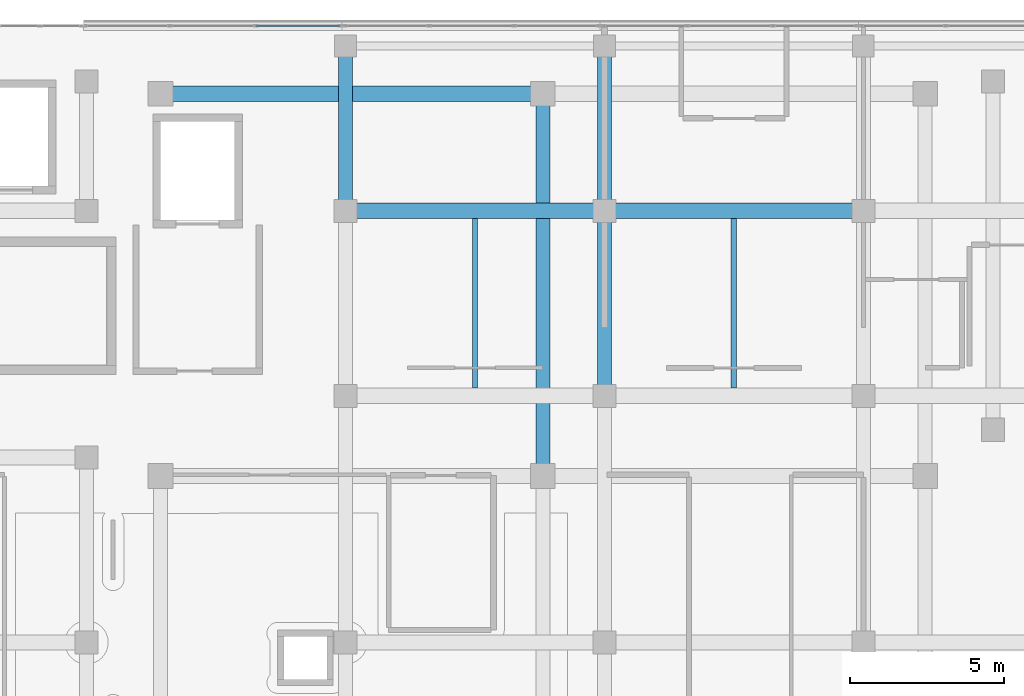
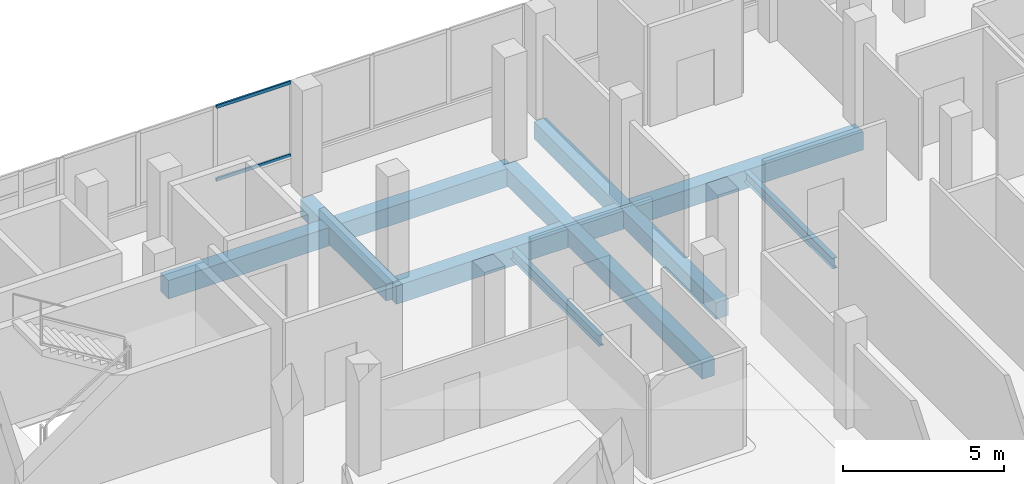
# One storey, part 41 of 101: 9 beams, 2 members, 1 element without a shape of its own.
"""IFC4 building model written with IfcOpenShell, lengths in metres."""

from ifc_helpers import new_model, si_unit, direction, frame, origin, origin_2d, place, context, subcontext, project, spatial, rectangle, hollow_rectangle, i_section, extrude, material, material_profile, profile_set, type_object, element, aggregate, save


model = new_model("IFC4")

# Units and contexts
model_context = context("Model", 3, precision=1e-05, world=origin(), true_north=direction((0.0, 1.0)))
body_context = subcontext(model_context, "Body", "Model", "MODEL_VIEW")
ifc_project = project(units=[si_unit("LENGTHUNIT", "METRE"), si_unit("AREAUNIT", "SQUARE_METRE"), si_unit("VOLUMEUNIT", "CUBIC_METRE"), si_unit("PLANEANGLEUNIT", "RADIAN"), si_unit("MASSUNIT", "GRAM", prefix="KILO")], contexts=[model_context])

# Site, building, storey
site_placement = place(None, origin())
site = spatial("IfcSite", under=ifc_project, at=site_placement, CompositionType="ELEMENT")
building_placement = place(site_placement, origin())
building = spatial("IfcBuilding", under=site, at=building_placement, Name="Selatvlak General Hospital", CompositionType="ELEMENT")
storey_placement = place(building_placement, frame((0.0, 0.0, 19.199951171875)))
storey = spatial("IfcBuildingStorey", under=building, at=storey_placement, Name="L04", CompositionType="ELEMENT", Elevation=19.199951171875)

# Beams
ifc_material_1 = material(Name="Concrete C40/50", Category="concrete")
ifc_material_profile_1 = material_profile(ifc_material_1, rectangle(XDim=0.5, YDim=0.699951171875, at=origin_2d()), Name="RC-BM 500x700")
ifc_profile_set_1 = profile_set([ifc_material_profile_1], Name="Concrete C40/50")
beam_type_1 = type_object("IfcBeamType", Name="BM-G03", PredefinedType="BEAM", material=ifc_profile_set_1)
beam_1_placement = place(storey_placement, frame((64.800048828125, 114.0, -0.655029296875), z_axis=(1.0, 0.0, 0.0), x_axis=(0.0, 1.0, 0.0)))
element("IfcBeam", 1, at=beam_1_placement, inside=storey, type_object=beam_type_1, Name="Beam BMR-L04-1618", PredefinedType="BEAM", context=body_context, shape_type="SweptSolid", body=[
    extrude(rectangle(XDim=0.5, YDim=0.699951171875, at=origin_2d()), origin(), (0.0, 0.0, 1.0), 8.39990234375),
])
beam_2_placement = place(storey_placement, frame((73.199951171875, 114.0, -0.655029296875), z_axis=(1.0, 0.0, 0.0), x_axis=(0.0, 1.0, 0.0)))
element("IfcBeam", 2, at=beam_2_placement, inside=storey, type_object=beam_type_1, Name="Beam BMR-L04-1619", PredefinedType="BEAM", context=body_context, shape_type="SweptSolid", body=[
    extrude(rectangle(XDim=0.5, YDim=0.699951171875, at=origin_2d()), origin(), (0.0, 0.0, 1.0), 8.400146484375),
])
beam_3_placement = place(storey_placement, frame((58.800048828125, 117.800048828125, -0.655029296875), z_axis=(1.0, 0.0, 0.0), x_axis=(0.0, 1.0, 0.0)))
element("IfcBeam", 3, at=beam_3_placement, inside=storey, type_object=beam_type_1, Name="Beam BMR-L04-1627", PredefinedType="BEAM", context=body_context, shape_type="SweptSolid", body=[
    extrude(rectangle(XDim=0.5, YDim=0.699951171875, at=origin_2d()), origin(), (0.0, 0.0, 1.0), 12.39990234375),
])
ifc_material_profile_2 = material_profile(ifc_material_1, rectangle(XDim=0.449951171875, YDim=0.64990234375, at=origin_2d()), Name="RC-BM 450x650")
ifc_profile_set_2 = profile_set([ifc_material_profile_2], Name="Concrete C40/50")
beam_type_2 = type_object("IfcBeamType", Name="BM-G04", PredefinedType="BEAM", material=ifc_profile_set_2)
beam_4_placement = place(storey_placement, frame((64.800048828125, 114.0, -0.6298828125), z_axis=(0.0, 1.0, 0.0), x_axis=(-1.0, 0.0, 0.0)))
element("IfcBeam", 4, at=beam_4_placement, inside=storey, type_object=beam_type_2, Name="Beam BMR-L04-1672", PredefinedType="BEAM", context=body_context, shape_type="SweptSolid", body=[
    extrude(rectangle(XDim=0.449951171875, YDim=0.64990234375, at=origin_2d()), origin(), (0.0, 0.0, 1.0), 5.35009765625),
])
beam_5_placement = place(storey_placement, frame((71.199951171875, 105.39990234375, -0.6298828125), z_axis=(0.0, 1.0, 0.0), x_axis=(-1.0, 0.0, 0.0)))
element("IfcBeam", 5, at=beam_5_placement, inside=storey, type_object=beam_type_2, Name="Beam BMR-L04-1674", PredefinedType="BEAM", context=body_context, shape_type="SweptSolid", body=[
    extrude(rectangle(XDim=0.449951171875, YDim=0.64990234375, at=origin_2d()), origin(), (0.0, 0.0, 1.0), 12.400146484375),
])
beam_6_placement = place(storey_placement, frame((73.199951171875, 108.0, -0.6298828125), z_axis=(0.0, 1.0, 0.0), x_axis=(-1.0, 0.0, 0.0)))
element("IfcBeam", 6, at=beam_6_placement, inside=storey, type_object=beam_type_2, Name="Beam BMR-L04-1678", PredefinedType="BEAM", context=body_context, shape_type="SweptSolid", body=[
    extrude(rectangle(XDim=0.449951171875, YDim=0.64990234375, at=origin_2d()), origin(), (0.0, 0.0, 1.0), 6.0),
])
beam_7_placement = place(storey_placement, frame((73.199951171875, 114.0, -0.6298828125), z_axis=(0.0, 1.0, 0.0), x_axis=(-1.0, 0.0, 0.0)))
element("IfcBeam", 7, at=beam_7_placement, inside=storey, type_object=beam_type_2, Name="Beam BMR-L04-1679", PredefinedType="BEAM", context=body_context, shape_type="SweptSolid", body=[
    extrude(rectangle(XDim=0.449951171875, YDim=0.64990234375, at=origin_2d()), origin(), (0.0, 0.0, 1.0), 5.35009765625),
])
ifc_material_2 = material(Name="Steel S355", Category="steel")
ifc_material_profile_3 = material_profile(ifc_material_2, i_section(OverallWidth=0.177978515625, OverallDepth=0.406494140625, WebThickness=0.0078125, FlangeThickness=0.0126953125, at=origin_2d()), Name="UB 406x178x60")
ifc_profile_set_3 = profile_set([ifc_material_profile_3], Name="Steel S355")
beam_type_3 = type_object("IfcBeamType", Name="BM-J04", PredefinedType="JOIST", material=ifc_profile_set_3)
for number, where, z_axis, x_axis, name in (
    (8, (69.0, 108.25, -0.508056640625), (0.0, 1.0, 0.0), (-1.0, 0.0, 0.0), "Beam BMR-L04-1789"),
    (9, (77.39990234375, 108.25, -0.508056640625), (0.0, 1.0, 0.0), (-1.0, 0.0, 0.0), "Beam BMR-L04-1790"),
):
    element("IfcBeam", number, at=place(storey_placement, frame(where, z_axis=z_axis, x_axis=x_axis)), inside=storey, type_object=beam_type_3, Name=name, PredefinedType="JOIST", context=body_context, shape_type="SweptSolid", body=[
        extrude(i_section(OverallWidth=0.177978515625, OverallDepth=0.406494140625, WebThickness=0.0078125, FlangeThickness=0.0126953125, at=origin_2d()), origin(), (0.0, 0.0, 1.0), 5.5),
    ])

# Curtain wall, members
ifc_material_3 = material(Name="Solar-control Low-E double glazing", Category="glass")
curtain_wall_type = type_object("IfcCurtainWallType", Name="CW-CW-01", PredefinedType="USERDEFINED", material=ifc_material_3)
curtain_wall_placement = place(storey_placement, origin())
curtain_wall = element("IfcCurtainWall", 10, at=curtain_wall_placement, inside=storey, type_object=curtain_wall_type, Name="Glazed facade curtain wall CW-L04-0485", ObjectType="UNITISED CURTAIN WALL", PredefinedType="USERDEFINED")
ifc_material_4 = material(Name="Dark anodised aluminium mullion", Category="aluminium")
ifc_material_profile_4 = material_profile(ifc_material_4, hollow_rectangle(XDim=0.06494140625, YDim=0.1201171875, WallThickness=0.00390625, at=origin_2d()), Name="AL-TRN 65x120x4")
ifc_profile_set_4 = profile_set([ifc_material_profile_4], Name="Dark anodised aluminium mullion")
member_type = type_object("IfcMemberType", Name="CWT-01", PredefinedType="USERDEFINED", material=ifc_profile_set_4)
member_1_placement = place(storey_placement, frame((61.9140625, 119.9990234375, 0.97265625), z_axis=(1.0, 0.0, 0.0), x_axis=(0.0, 1.0, 0.0)))
member_1 = element("IfcMember", 11, at=member_1_placement, type_object=member_type, Name="CW-01 transom 3.1", ObjectType="TRANSOM", PredefinedType="USERDEFINED", context=body_context, shape_type="SweptSolid", body=[
    extrude(hollow_rectangle(XDim=0.06494140625, YDim=0.1201171875, WallThickness=0.00390625, at=origin_2d()), origin(), (0.0, 0.0, 1.0), 2.68603515625),
])
member_2_placement = place(storey_placement, frame((61.9140625, 119.9990234375, 3.737548828125), z_axis=(1.0, 0.0, 0.0), x_axis=(0.0, 1.0, 0.0)))
member_2 = element("IfcMember", 12, at=member_2_placement, type_object=member_type, Name="CW-01 transom 3.2", ObjectType="TRANSOM", PredefinedType="USERDEFINED", context=body_context, shape_type="SweptSolid", body=[
    extrude(hollow_rectangle(XDim=0.06494140625, YDim=0.1201171875, WallThickness=0.00390625, at=origin_2d()), origin(), (0.0, 0.0, 1.0), 2.68603515625),
])
aggregate(curtain_wall, [member_1, member_2])

save(model, "model.ifc")
